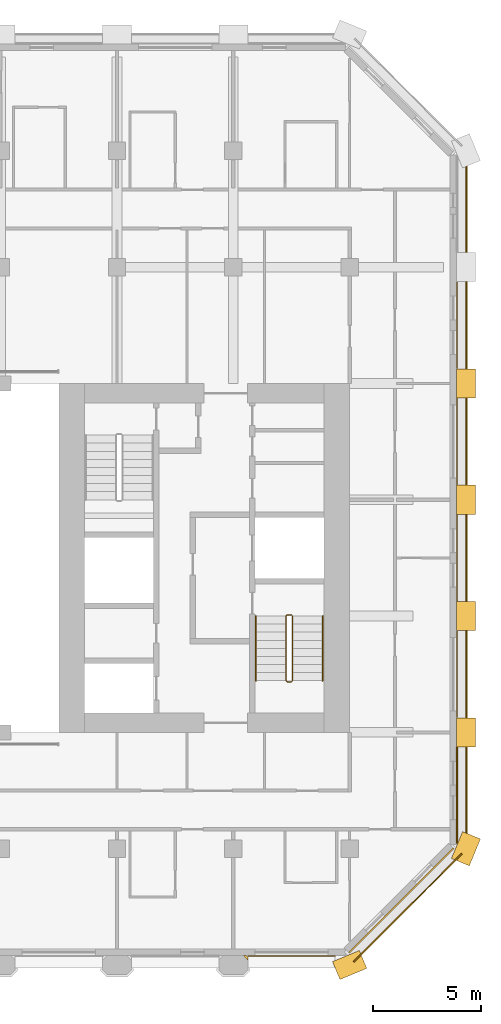
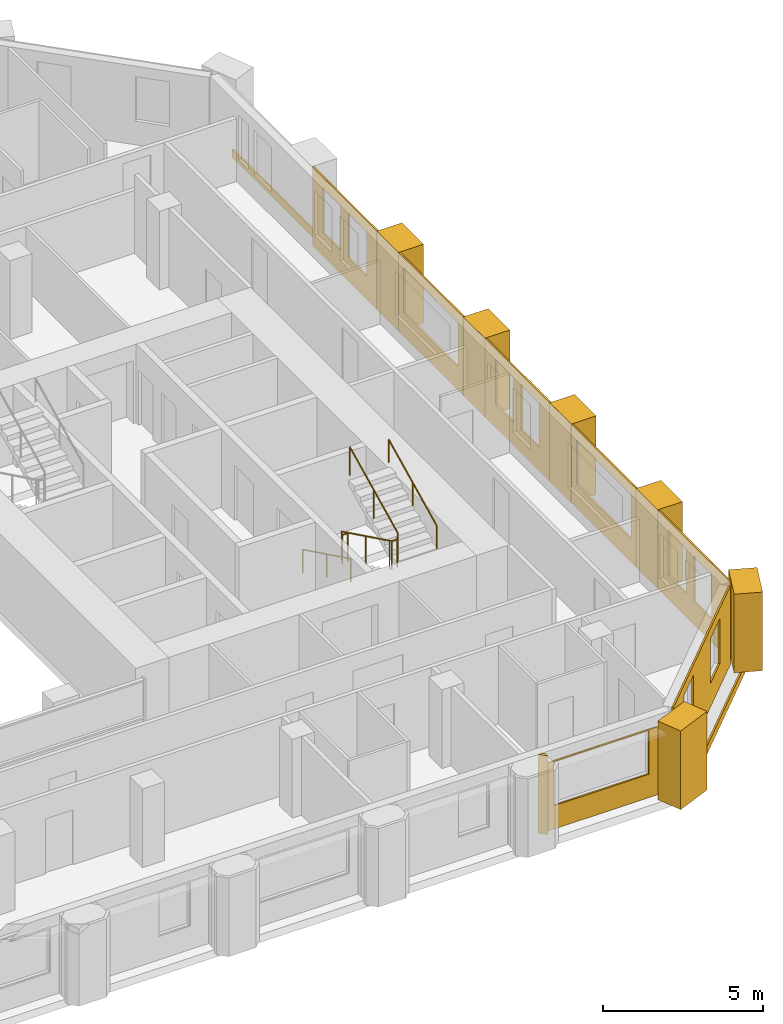
# One storey, part 11 of 12: 16 coverings, 3 railings.
"""IFC4 building model written with IfcOpenShell, lengths in metres."""

from ifc_helpers import new_model, si_unit, direction, frame, frame_2d, origin, origin_2d, place, context, subcontext, project, spatial, polyline, rectangle, circle, outline, extrude, material, layer, layer_set, type_object, element, save


model = new_model("IFC4")

# Units and contexts
model_context = context("Model", 3, precision=1e-05, world=origin(), true_north=direction((0.0, 1.0)))
body_context = subcontext(model_context, "Body", "Model", "MODEL_VIEW")
ifc_project = project(units=[si_unit("LENGTHUNIT", "METRE"), si_unit("AREAUNIT", "SQUARE_METRE"), si_unit("VOLUMEUNIT", "CUBIC_METRE"), si_unit("PLANEANGLEUNIT", "RADIAN"), si_unit("MASSUNIT", "GRAM", prefix="KILO")], contexts=[model_context])

# Site, building, storey
site_placement = place(None, origin())
site = spatial("IfcSite", under=ifc_project, at=site_placement, CompositionType="ELEMENT")
building_placement = place(site_placement, origin())
building = spatial("IfcBuilding", under=site, at=building_placement, Name="Tabaq Tower and Sports Hall", CompositionType="ELEMENT")
storey_placement = place(building_placement, frame((0.0, 0.0, 190.60009765625)))
storey = spatial("IfcBuildingStorey", under=building, at=storey_placement, Name="L46", CompositionType="ELEMENT", Elevation=190.60009765625)

# Coverings
ifc_material_1 = material(Name="Precast concrete C60/75", Category="concrete")
ifc_layer_1 = layer(ifc_material_1, 0.10009765625)
ifc_layer_set_1 = layer_set([ifc_layer_1], Name="Column cladding 100")
covering_type_1 = type_object("IfcCoveringType", Name="Column cladding 100", PredefinedType="CLADDING", material=ifc_layer_set_1)
covering_1_placement = place(storey_placement, origin())
element("IfcCovering", 1, at=covering_1_placement, inside=storey, type_object=covering_type_1, Name="Column cladding L46 PC-8B-H2 3", PredefinedType="CLADDING", context=body_context, shape_type="SweptSolid", body=[
    extrude(outline(polyline([(38.474365234375, 5.62646484375), (38.25146484375, 5.849365234375), (38.39111328125, 5.849365234375), (38.474365234375, 5.76611328125), (38.474365234375, 5.62646484375)])), origin(), (0.0, 0.0, 1.0), 3.0),
])
ifc_material_2 = material(Name="Precast concrete C60/75", Category="concrete")
ifc_layer_2 = layer(ifc_material_2, 0.06005859375)
ifc_layer_set_2 = layer_set([ifc_layer_2], Name="Edge beam cladding 60")
covering_type_2 = type_object("IfcCoveringType", Name="Edge beam cladding 60", PredefinedType="CLADDING", material=ifc_layer_set_2)
covering_2_placement = place(storey_placement, frame((43.39794921875, 5.5556640625, -0.300048828125), z_axis=(0.0, 0.0, 1.0), x_axis=(0.707124002701, 0.707089559252, 0.0)))
element("IfcCovering", 2, at=covering_2_placement, inside=storey, type_object=covering_type_2, Name="Edge beam cladding L46 1", PredefinedType="CLADDING", context=body_context, shape_type="SweptSolid", body=[
    extrude(rectangle(XDim=7.088134765625, YDim=0.06005859375, at=frame_2d((3.5439453125, 0.0))), origin(), (0.0, 0.0, 1.0), 0.300048828125),
])
covering_3_placement = place(storey_placement, frame((48.6298828125, 11.0986328125, -0.300048828125), z_axis=(0.0, 0.0, 1.0), x_axis=(0.0, 1.0, 0.0)))
element("IfcCovering", 3, at=covering_3_placement, inside=storey, type_object=covering_type_2, Name="Edge beam cladding L46 2", PredefinedType="CLADDING", context=body_context, shape_type="SweptSolid", body=[
    extrude(rectangle(XDim=31.802734375, YDim=0.06005859375, at=frame_2d((15.9013671875, 0.0))), origin(), (0.0, 0.0, 1.0), 0.300048828125),
])
ifc_material_3 = material(Name="White precast concrete C60/75", Category="concrete")
covering_type_3 = type_object("IfcCoveringType", Name="Pier cladding hung 1350x900", PredefinedType="CLADDING", material=ifc_material_3)
for number, where, z_axis, x_axis, name in (
    (4, (42.576416015625, 5.1416015625, 0.0), (0.0, 0.0, 1.0), (0.923893411637, 0.382649923473, 0.0), "Hung pier cladding 8/1"),
    (5, (48.341796875, 10.17626953125, 0.0), (0.0, 0.0, 1.0), (0.382649923473, 0.923893411637, 0.0), "Hung pier cladding 9/2"),
    (6, (48.60009765625, 15.52490234375, 0.0), (0.0, 0.0, 1.0), (0.0, 1.0, 0.0), "Hung pier cladding 9/3"),
):
    element("IfcCovering", number, at=place(storey_placement, frame(where, z_axis=z_axis, x_axis=x_axis)), inside=storey, type_object=covering_type_3, Name=name, PredefinedType="CLADDING", context=body_context, shape_type="SweptSolid", body=[
        extrude(rectangle(XDim=1.35009765625, YDim=0.89990234375, at=frame_2d((0.675048828125, 0.0))), origin(), (0.0, 0.0, 1.0), 3.0),
    ])
covering_4_placement = place(storey_placement, frame((48.60009765625, 20.925048828125, 0.0), z_axis=(0.0, 0.0, 1.0), x_axis=(0.0, 1.0, 0.0)))
element("IfcCovering", 7, at=covering_4_placement, inside=storey, type_object=covering_type_3, Name="Hung pier cladding 9/4", PredefinedType="CLADDING", context=body_context, shape_type="SweptSolid", body=[
    extrude(rectangle(XDim=1.349853515625, YDim=0.89990234375, at=frame_2d((0.6748046875, 0.0))), origin(), (0.0, 0.0, 1.0), 3.0),
])
covering_5_placement = place(storey_placement, frame((48.60009765625, 26.324951171875, 0.0), z_axis=(0.0, 0.0, 1.0), x_axis=(0.0, 1.0, 0.0)))
element("IfcCovering", 8, at=covering_5_placement, inside=storey, type_object=covering_type_3, Name="Hung pier cladding 9/5", PredefinedType="CLADDING", context=body_context, shape_type="SweptSolid", body=[
    extrude(rectangle(XDim=1.35009765625, YDim=0.89990234375, at=frame_2d((0.675048828125, 0.0))), origin(), (0.0, 0.0, 1.0), 3.0),
])
covering_6_placement = place(storey_placement, frame((48.60009765625, 31.72509765625, 0.0), z_axis=(0.0, 0.0, 1.0), x_axis=(0.0, 1.0, 0.0)))
element("IfcCovering", 9, at=covering_6_placement, inside=storey, type_object=covering_type_3, Name="Hung pier cladding 9/6", PredefinedType="CLADDING", context=body_context, shape_type="SweptSolid", body=[
    extrude(rectangle(XDim=1.349853515625, YDim=0.89990234375, at=frame_2d((0.6748046875, 0.0))), origin(), (0.0, 0.0, 1.0), 3.0),
])

# Railings
ifc_material_4 = material(Name="Stainless steel", Category="steel")
railing_type_1 = type_object("IfcRailingType", Name="Stair guard", PredefinedType="GUARDRAIL", material=ifc_material_4)
railing_1_placement = place(storey_placement, frame((40.5, 21.64990234375, 0.0)))
element("IfcRailing", 10, at=railing_1_placement, inside=storey, type_object=railing_type_1, Name="L46 ST3 stair guard 1", PredefinedType="GUARDRAIL", context=body_context, shape_type="SweptSolid", body=[
    extrude(circle(Radius=0.02392578125, at=origin_2d()), frame((0.0, 0.0, 1.076171875), z_axis=(-1.0, 0.0, 0.0), x_axis=(0.0, -1.0, 0.0)), (0.0, 0.0, 1.0), 0.199951171875),
    extrude(circle(Radius=0.02392578125, at=origin_2d()), frame((-0.199951171875, 0.0, 1.076171875), z_axis=(-0.254733673405, -0.25349107012, 0.933195066962), x_axis=(0.705375805398, -0.708833529934, 0.0)), (0.0, 0.0, 1.0), 0.196533203125),
    extrude(circle(Radius=0.02392578125, at=origin_2d()), frame((-0.25, -0.0498046875, 1.25927734375), z_axis=(0.0, -0.898397823093, 0.439182594671), x_axis=(1.0, 0.0, 0.0)), (0.0, 0.0, 1.0), 3.33935546875),
    extrude(circle(Radius=0.02392578125, at=origin_2d()), frame((-0.25, -3.0498046875, 2.72607421875), z_axis=(0.707106781187, -0.707106781187, 0.0), x_axis=(0.707106781187, 0.707106781187, 0.0)), (0.0, 0.0, 1.0), 0.07080078125),
    extrude(circle(Radius=0.02392578125, at=origin_2d()), frame((-0.199951171875, -3.099853515625, 2.72607421875), z_axis=(1.0, 0.0, 0.0), x_axis=(0.0, 1.0, 0.0)), (0.0, 0.0, 1.0), 0.199951171875),
    extrude(circle(Radius=0.02392578125, at=origin_2d()), frame((0.0, -3.099853515625, 2.72607421875), z_axis=(0.254653276557, 0.254653276557, 0.932900539971), x_axis=(-0.707106781187, 0.707106781187, 0.0)), (0.0, 0.0, 1.0), 0.196533203125),
    extrude(circle(Radius=0.02392578125, at=origin_2d()), frame((0.050048828125, -3.0498046875, 2.9091796875), z_axis=(0.0, 0.898397823093, 0.439182594671), x_axis=(-1.0, 0.0, 0.0)), (0.0, 0.0, 1.0), 3.33935546875),
    extrude(circle(Radius=0.02099609375, at=origin_2d()), origin(), (0.0, 0.0, 1.0), 1.052001953125),
    extrude(circle(Radius=0.02099609375, at=origin_2d()), frame((-0.199951171875, 0.0, 0.0)), (0.0, 0.0, 1.0), 1.052001953125),
    extrude(circle(Radius=0.02099609375, at=origin_2d()), frame((-0.25, -0.0498046875, 0.183349609375)), (0.0, 0.0, 1.0), 1.052001953125),
    extrude(circle(Radius=0.02099609375, at=origin_2d()), frame((-0.25, -1.5498046875, 0.91650390625)), (0.0, 0.0, 1.0), 1.052001953125),
    extrude(circle(Radius=0.02099609375, at=origin_2d()), frame((-0.25, -3.0498046875, 1.64990234375)), (0.0, 0.0, 1.0), 1.052001953125),
    extrude(circle(Radius=0.02099609375, at=origin_2d()), frame((-0.199951171875, -3.099853515625, 1.64990234375)), (0.0, 0.0, 1.0), 1.052001953125),
    extrude(circle(Radius=0.02099609375, at=origin_2d()), frame((0.0, -3.099853515625, 1.64990234375)), (0.0, 0.0, 1.0), 1.052001953125),
    extrude(circle(Radius=0.02099609375, at=origin_2d()), frame((0.050048828125, -3.0498046875, 1.833251953125)), (0.0, 0.0, 1.0), 1.052001953125),
    extrude(circle(Radius=0.02099609375, at=origin_2d()), frame((0.050048828125, -1.5498046875, 2.56640625)), (0.0, 0.0, 1.0), 1.052001953125),
    extrude(circle(Radius=0.02099609375, at=origin_2d()), frame((0.050048828125, -0.0498046875, 3.2998046875)), (0.0, 0.0, 1.0), 1.052001953125),
])
ifc_material_5 = material(Name="Stainless steel", Category="steel")
railing_type_2 = type_object("IfcRailingType", Name="Stair handrail", PredefinedType="HANDRAIL", material=ifc_material_5)
railing_2_placement = place(storey_placement, frame((38.85009765625, 21.60009765625, 0.183349609375)))
element("IfcRailing", 11, at=railing_2_placement, inside=storey, type_object=railing_type_2, Name="L46 ST3 stair handrail 1", PredefinedType="HANDRAIL", context=body_context, shape_type="SweptSolid", body=[
    extrude(circle(Radius=0.02392578125, at=origin_2d()), frame((0.0, 0.0, 0.8759765625), z_axis=(0.0, -0.898397823093, 0.439182594671), x_axis=(1.0, 0.0, 0.0)), (0.0, 0.0, 1.0), 3.33935546875),
    extrude(circle(Radius=0.02099609375, at=origin_2d()), origin(), (0.0, 0.0, 1.0), 0.851806640625),
    extrude(circle(Radius=0.02099609375, at=origin_2d()), frame((0.0, -1.5, 0.7333984375)), (0.0, 0.0, 1.0), 0.851806640625),
    extrude(circle(Radius=0.02099609375, at=origin_2d()), frame((0.0, -3.0, 1.466552734375)), (0.0, 0.0, 1.0), 0.851806640625),
])
railing_3_placement = place(storey_placement, frame((41.949951171875, 18.60009765625, 1.833251953125)))
element("IfcRailing", 12, at=railing_3_placement, inside=storey, type_object=railing_type_2, Name="L46 ST3 stair handrail 2", PredefinedType="HANDRAIL", context=body_context, shape_type="SweptSolid", body=[
    extrude(circle(Radius=0.02392578125, at=origin_2d()), frame((0.0, 0.0, 0.8759765625), z_axis=(0.0, 0.898397823093, 0.439182594671), x_axis=(-1.0, 0.0, 0.0)), (0.0, 0.0, 1.0), 3.33935546875),
    extrude(circle(Radius=0.02099609375, at=origin_2d()), origin(), (0.0, 0.0, 1.0), 0.851806640625),
    extrude(circle(Radius=0.02099609375, at=origin_2d()), frame((0.0, 1.5, 0.7333984375)), (0.0, 0.0, 1.0), 0.851806640625),
    extrude(circle(Radius=0.02099609375, at=origin_2d()), frame((0.0, 3.0, 1.466552734375)), (0.0, 0.0, 1.0), 0.851806640625),
])

# Coverings
ifc_material_6 = material(Name="Precast concrete C60/75", Category="concrete")
ifc_layer_3 = layer(ifc_material_6, 0.06005859375)
ifc_layer_set_3 = layer_set([ifc_layer_3], Name="White precast cladding panel 60 C60/75")
covering_type_4 = type_object("IfcCoveringType", Name="White precast cladding panel 60 C60/75", PredefinedType="CLADDING", material=ifc_layer_set_3)
covering_7_placement = place(storey_placement, frame((38.485107421875, 5.820068359375, 0.0), z_axis=(0.0, 0.0, 1.0), x_axis=(1.0, 0.0, 0.0)))
element("IfcCovering", 13, at=covering_7_placement, inside=storey, type_object=covering_type_4, Name="White precast cladding panel L46 wall00 6", PredefinedType="CLADDING", context=body_context, shape_type="SweptSolid", body=[
    extrude(outline(polyline([(0.0, 0.0), (4.0498046875, 0.0), (4.0498046875, 2.58984375), (0.0, 2.58984375), (0.0, 0.0)]), holes=[polyline([(3.72509765625, 0.889892578125), (0.304931640625, 0.889892578125), (0.304931640625, 2.559814453125), (3.72509765625, 2.559814453125), (3.72509765625, 0.889892578125)])]), frame((0.0, 0.030029296875, 0.0), z_axis=(0.0, -1.0, 0.0), x_axis=(1.0, 0.0, 0.0)), (0.0, 0.0, 1.0), 0.06005859375),
])
covering_8_placement = place(storey_placement, frame((43.177734375, 5.9716796875, 0.0), z_axis=(0.0, 0.0, 1.0), x_axis=(0.707106781187, 0.707106781187, 0.0)))
element("IfcCovering", 14, at=covering_8_placement, inside=storey, type_object=covering_type_4, Name="White precast cladding panel L46 wall01", PredefinedType="CLADDING", context=body_context, shape_type="SweptSolid", body=[
    extrude(outline(polyline([(0.0, 0.0), (6.85986328125, 0.0), (6.85986328125, 3.0), (0.0, 3.0), (0.0, 0.0)]), holes=[polyline([(1.269775390625, 2.60986328125), (2.389892578125, 2.60986328125), (2.389892578125, 0.889892578125), (1.269775390625, 0.889892578125), (1.269775390625, 2.60986328125)]), polyline([(4.4697265625, 2.60986328125), (5.58984375, 2.60986328125), (5.58984375, 0.889892578125), (4.4697265625, 0.889892578125), (4.4697265625, 2.60986328125)])]), frame((0.0, 0.030029296875, 0.0), z_axis=(0.0, -1.0, 0.0), x_axis=(1.0, 0.0, 0.0)), (0.0, 0.0, 1.0), 0.06005859375),
])
covering_9_placement = place(storey_placement, frame((48.179931640625, 11.043212890625, 0.0), z_axis=(0.0, 0.0, 1.0), x_axis=(0.0, 1.0, 0.0)))
element("IfcCovering", 15, at=covering_9_placement, inside=storey, type_object=covering_type_4, Name="White precast cladding panel L46 wall02", PredefinedType="CLADDING", context=body_context, shape_type="SweptSolid", body=[
    extrude(outline(polyline([(0.0, 0.0), (4.4716796875, 0.0), (4.4716796875, 3.0), (0.0, 3.0), (0.0, 0.0)]), holes=[polyline([(1.096923828125, 2.60986328125), (2.216796875, 2.60986328125), (2.216796875, 0.889892578125), (1.096923828125, 0.889892578125), (1.096923828125, 2.60986328125)]), polyline([(2.69677734375, 2.60986328125), (3.81689453125, 2.60986328125), (3.81689453125, 0.889892578125), (2.69677734375, 0.889892578125), (2.69677734375, 2.60986328125)])]), frame((0.0, 0.030029296875, 0.0), z_axis=(0.0, -1.0, 0.0), x_axis=(1.0, 0.0, 0.0)), (0.0, 0.0, 1.0), 0.06005859375),
])
covering_10_placement = place(storey_placement, frame((48.179931640625, 16.885009765625, 0.0), z_axis=(0.0, 0.0, 1.0), x_axis=(0.0, 1.0, 0.0)))
element("IfcCovering", 16, at=covering_10_placement, inside=storey, type_object=covering_type_4, Name="White precast cladding panel L46 wall02 2", PredefinedType="CLADDING", context=body_context, shape_type="SweptSolid", body=[
    extrude(outline(polyline([(0.0, 0.0), (4.030029296875, 0.0), (4.030029296875, 3.0), (0.0, 3.0), (0.0, 0.0)]), holes=[polyline([(0.304931640625, 0.889892578125), (0.304931640625, 2.60986328125), (3.72509765625, 2.60986328125), (3.72509765625, 0.889892578125), (0.304931640625, 0.889892578125)])]), frame((0.0, 0.030029296875, 0.0), z_axis=(0.0, -1.0, 0.0), x_axis=(1.0, 0.0, 0.0)), (0.0, 0.0, 1.0), 0.06005859375),
])
covering_11_placement = place(storey_placement, frame((48.179931640625, 22.284912109375, 0.0), z_axis=(0.0, 0.0, 1.0), x_axis=(0.0, 1.0, 0.0)))
element("IfcCovering", 17, at=covering_11_placement, inside=storey, type_object=covering_type_4, Name="White precast cladding panel L46 wall02 3", PredefinedType="CLADDING", context=body_context, shape_type="SweptSolid", body=[
    extrude(outline(polyline([(0.0, 0.0), (4.030029296875, 0.0), (4.030029296875, 3.0), (0.0, 3.0), (0.0, 0.0)]), holes=[polyline([(0.655029296875, 2.60986328125), (1.77490234375, 2.60986328125), (1.77490234375, 0.889892578125), (0.655029296875, 0.889892578125), (0.655029296875, 2.60986328125)]), polyline([(2.2548828125, 2.60986328125), (3.375, 2.60986328125), (3.375, 0.889892578125), (2.2548828125, 0.889892578125), (2.2548828125, 2.60986328125)])]), frame((0.0, 0.030029296875, 0.0), z_axis=(0.0, -1.0, 0.0), x_axis=(1.0, 0.0, 0.0)), (0.0, 0.0, 1.0), 0.06005859375),
])
covering_12_placement = place(storey_placement, frame((48.179931640625, 27.68505859375, 0.0), z_axis=(0.0, 0.0, 1.0), x_axis=(0.0, 1.0, 0.0)))
element("IfcCovering", 18, at=covering_12_placement, inside=storey, type_object=covering_type_4, Name="White precast cladding panel L46 wall02 4", PredefinedType="CLADDING", context=body_context, shape_type="SweptSolid", body=[
    extrude(outline(polyline([(0.0, 0.0), (4.030029296875, 0.0), (4.030029296875, 3.0), (0.0, 3.0), (0.0, 0.0)]), holes=[polyline([(0.304931640625, 0.889892578125), (0.304931640625, 2.60986328125), (3.72509765625, 2.60986328125), (3.72509765625, 0.889892578125), (0.304931640625, 0.889892578125)])]), frame((0.0, 0.030029296875, 0.0), z_axis=(0.0, -1.0, 0.0), x_axis=(1.0, 0.0, 0.0)), (0.0, 0.0, 1.0), 0.06005859375),
])
covering_13_placement = place(storey_placement, frame((48.179931640625, 33.0849609375, 0.0), z_axis=(0.0, 0.0, 1.0), x_axis=(0.0, 1.0, 0.0)))
element("IfcCovering", 19, at=covering_13_placement, inside=storey, type_object=covering_type_4, Name="White precast cladding panel L46 wall02 5", PredefinedType="CLADDING", context=body_context, shape_type="SweptSolid", body=[
    extrude(outline(polyline([(0.0, 0.0), (4.030029296875, 0.0), (4.030029296875, 3.0), (0.0, 3.0), (0.0, 0.0)]), holes=[polyline([(0.655029296875, 2.60986328125), (1.77490234375, 2.60986328125), (1.77490234375, 0.889892578125), (0.655029296875, 0.889892578125), (0.655029296875, 2.60986328125)]), polyline([(2.2548828125, 2.60986328125), (3.375, 2.60986328125), (3.375, 0.889892578125), (2.2548828125, 0.889892578125), (2.2548828125, 2.60986328125)])]), frame((0.0, 0.030029296875, 0.0), z_axis=(0.0, -1.0, 0.0), x_axis=(1.0, 0.0, 0.0)), (0.0, 0.0, 1.0), 0.06005859375),
])

save(model, "model.ifc")
